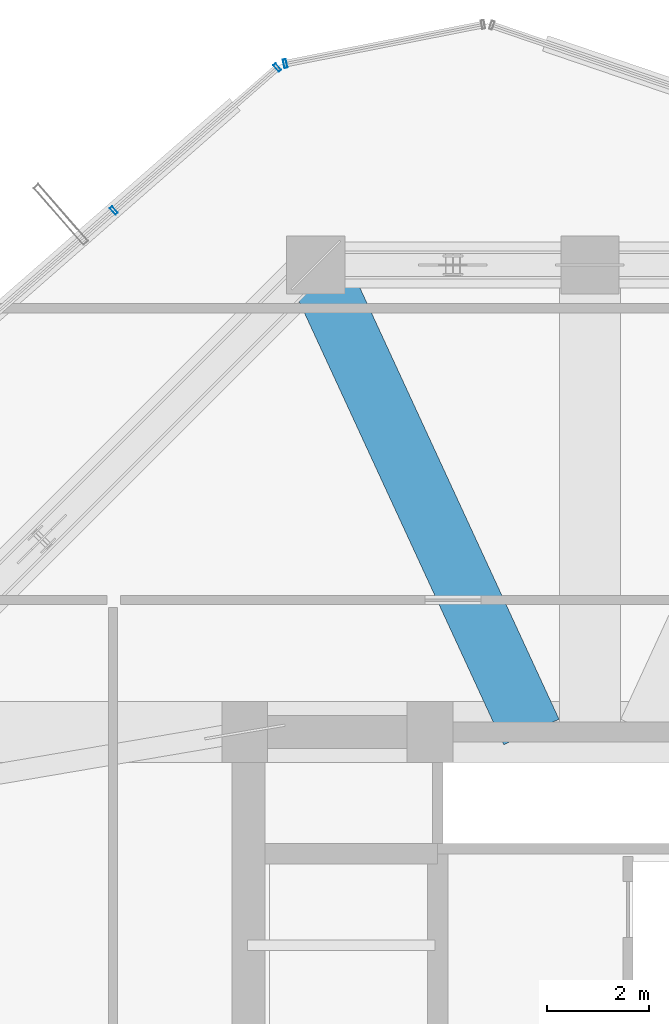
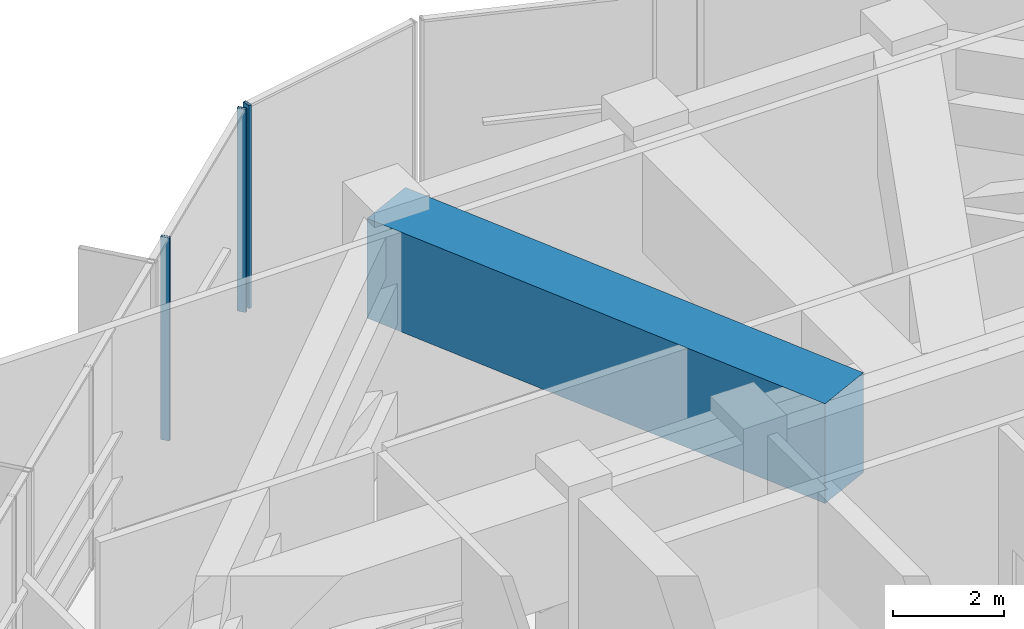
# One storey, part 24 of 36: 3 members, 1 beam, 2 elements without a shape of their own.
"""IFC4 building model written with IfcOpenShell, lengths in metres."""

from ifc_helpers import new_model, si_unit, direction, frame, origin, origin_2d, place, context, subcontext, project, spatial, rectangle, hollow_rectangle, extrude, source, transform, mapped, material, layer, layer_set, material_profile, profile_set, type_object, element, aggregate, save


model = new_model("IFC4")

# Units and contexts
model_context = context("Model", 3, precision=1e-05, world=origin(), true_north=direction((0.0, 1.0)))
body_context = subcontext(model_context, "Body", "Model", "MODEL_VIEW")
ifc_project = project(units=[si_unit("LENGTHUNIT", "METRE"), si_unit("AREAUNIT", "SQUARE_METRE"), si_unit("VOLUMEUNIT", "CUBIC_METRE"), si_unit("PLANEANGLEUNIT", "RADIAN"), si_unit("MASSUNIT", "GRAM", prefix="KILO")], contexts=[model_context])

# Site, building, storey
site_placement = place(None, origin())
site = spatial("IfcSite", under=ifc_project, at=site_placement, CompositionType="ELEMENT")
building_placement = place(site_placement, origin())
building = spatial("IfcBuilding", under=site, at=building_placement, Name="Veraguas Prism Commons", CompositionType="ELEMENT")
storey_placement = place(building_placement, frame((0.0, 0.0, 169.550048828125)))
storey = spatial("IfcBuildingStorey", under=building, at=storey_placement, Name="L48", CompositionType="ELEMENT", Elevation=169.550048828125)

# Beam
ifc_material_1 = material(Name="Concrete C50/60", Category="concrete")
ifc_material_profile_1 = material_profile(ifc_material_1, rectangle(XDim=1.199951171875, YDim=2.199951171875, at=origin_2d()), Name="RC1200X2200")
ifc_profile_set_1 = profile_set([ifc_material_profile_1], Name="Concrete C50/60")
beam_type = type_object("IfcBeamType", Name="Podium Transfer Girder RC 1200x2200", PredefinedType="BEAM", material=ifc_profile_set_1)
beam_placement = place(storey_placement, frame((18.60009765625, 40.199951171875, 3.3798828125), z_axis=(0.419055121545, -0.907960794917, 0.0), x_axis=(0.907960794917, 0.419055121545, 0.0)))
element("IfcBeam", 1, at=beam_placement, inside=storey, type_object=beam_type, Name="Setback Transfer Girder L48-06", PredefinedType="BEAM", context=body_context, shape_type="SweptSolid", body=[
    extrude(rectangle(XDim=1.199951171875, YDim=2.199951171875, at=origin_2d()), origin(), (0.0, 0.0, 1.0), 10.132568359375),
])

# Curtain wall, members
ifc_material_2 = material(Name="Anodised aluminium EN AW-6063 T6", Category="aluminium")
ifc_layer = layer(ifc_material_2, 0.169921875, Name="Unitised Flush Curtain Wall Zone 2", Category="aluminium")
ifc_layer_set = layer_set([ifc_layer], Name="Anodised aluminium EN AW-6063 T6")
curtain_wall_type = type_object("IfcCurtainWallType", Name="Unitised Flush Curtain Wall Zone 2", PredefinedType="NOTDEFINED", material=ifc_layer_set)
curtain_wall_1_placement = place(storey_placement, origin())
curtain_wall_1 = element("IfcCurtainWall", 2, at=curtain_wall_1_placement, inside=storey, type_object=curtain_wall_type, Name="Tower Facade Curtain Wall L48-F2", PredefinedType="NOTDEFINED")
ifc_material_profile_2 = material_profile(ifc_material_2, hollow_rectangle(XDim=0.06005859375, YDim=0.169921875, WallThickness=0.00390625, at=origin_2d()), Name="AL60X170X4")
ifc_profile_set_2 = profile_set([ifc_material_profile_2], Name="Anodised aluminium EN AW-6063 T6")
member_type = type_object("IfcMemberType", Name="Curtain Wall Mullion Lower AL 60x170x4", PredefinedType="MULLION", material=ifc_profile_set_2)
shared_shape = source(origin(), body_context, "Body", "SweptSolid", [
    extrude(hollow_rectangle(XDim=0.06005859375, YDim=0.169921875, WallThickness=0.00390625, at=origin_2d()), origin(), (0.0, 0.0, 1.0), 4.47998046875),
])
member_1_placement = place(storey_placement, frame((17.83984375, 44.09375, 0.0), z_axis=(0.0, 0.0, 1.0), x_axis=(-0.752872280062, -0.658166642967, 0.0)))
member_1 = element("IfcMember", 3, at=member_1_placement, type_object=member_type, Name="CW-Z2 Mullion 1", PredefinedType="MULLION", context=body_context, shape_type="MappedRepresentation", body=[
    mapped(shared_shape, transform((0.0, 0.0, 0.0), scale=1.0)),
])
member_2_placement = place(storey_placement, frame((14.61865234375, 41.27783203125, 0.0), z_axis=(0.0, 0.0, 1.0), x_axis=(-0.752872280062, -0.658166642967, 0.0)))
member_2 = element("IfcMember", 4, at=member_2_placement, type_object=member_type, Name="CW-Z2 Mullion 2", PredefinedType="MULLION", context=body_context, shape_type="MappedRepresentation", body=[
    mapped(shared_shape, transform((0.0, 0.0, 0.0), scale=1.0)),
])
aggregate(curtain_wall_1, [member_1, member_2])

# Curtain wall, member
curtain_wall_2_placement = place(storey_placement, origin())
curtain_wall_2 = element("IfcCurtainWall", 5, at=curtain_wall_2_placement, inside=storey, type_object=curtain_wall_type, Name="Chamfer Curtain Wall L48-C2", PredefinedType="NOTDEFINED")
member_3_placement = place(storey_placement, frame((17.995849609375, 44.17041015625, 0.0), z_axis=(0.0, 0.0, 1.0), x_axis=(-0.981090517443, -0.193549468051, 0.0)))
member_3 = element("IfcMember", 6, at=member_3_placement, type_object=member_type, Name="CW-Z2 Mullion 2", PredefinedType="MULLION", context=body_context, shape_type="MappedRepresentation", body=[
    mapped(shared_shape, transform((0.0, 0.0, 0.0), scale=1.0)),
])
aggregate(curtain_wall_2, [member_3])

save(model, "model.ifc")
